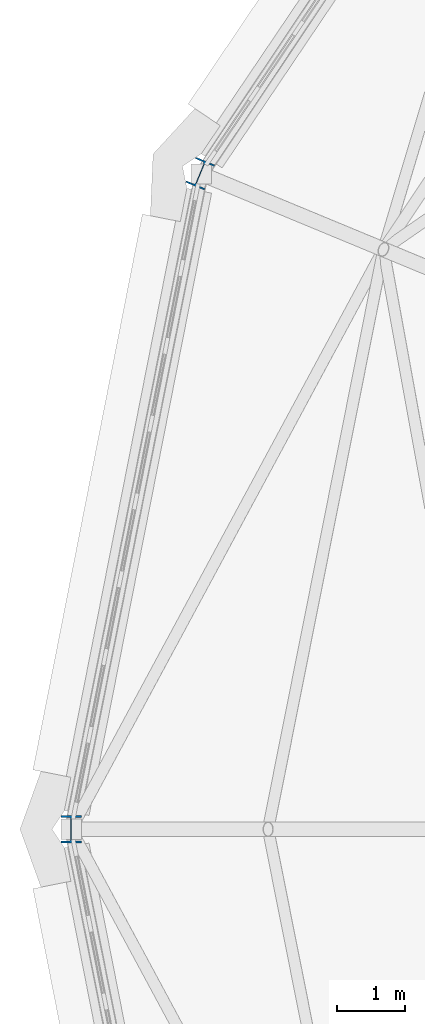
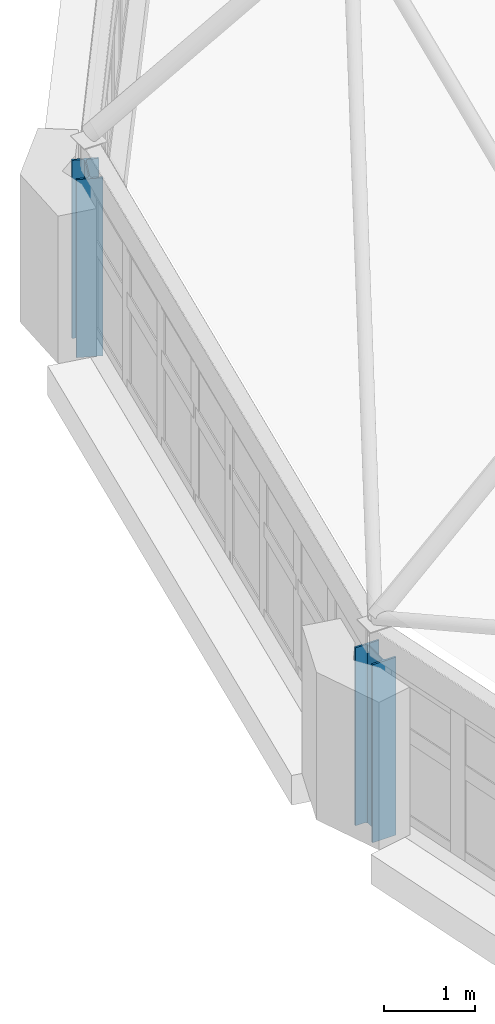
# One storey, part 2 of 68: 2 columns.
"""IFC4 building model written with IfcOpenShell, lengths in metres."""

from ifc_helpers import new_model, si_unit, direction, frame, origin, origin_2d, place, context, subcontext, project, spatial, i_section, extrude, material, material_profile, profile_set, type_object, element, save


model = new_model("IFC4")

# Units and contexts
model_context = context("Model", 3, precision=1e-05, world=origin(), true_north=direction((0.0, 1.0)))
body_context = subcontext(model_context, "Body", "Model", "MODEL_VIEW")
ifc_project = project(units=[si_unit("LENGTHUNIT", "METRE"), si_unit("AREAUNIT", "SQUARE_METRE"), si_unit("VOLUMEUNIT", "CUBIC_METRE"), si_unit("PLANEANGLEUNIT", "RADIAN"), si_unit("MASSUNIT", "GRAM", prefix="KILO")], contexts=[model_context])

# Site, building, storey
site_placement = place(None, origin())
site = spatial("IfcSite", under=ifc_project, at=site_placement, CompositionType="ELEMENT")
building_placement = place(site_placement, origin())
building = spatial("IfcBuilding", under=site, at=building_placement, Name="Kupolbacken Congress Centre", CompositionType="ELEMENT")
storey_placement = place(building_placement, frame((0.0, 0.0, 25.199951171875)))
storey = spatial("IfcBuildingStorey", under=building, at=storey_placement, Name="L07", CompositionType="ELEMENT", Elevation=25.199951171875)

# Columns
ifc_material = material(Name="Steel S355", Category="steel")
ifc_material_profile = material_profile(ifc_material, i_section(OverallWidth=0.300048828125, OverallDepth=0.39990234375, WebThickness=0.013427734375, FlangeThickness=0.02392578125, FilletRadius=0.027099609375, at=origin_2d()), Name="HEB 400")
ifc_profile_set = profile_set([ifc_material_profile], Name="Steel S355")
column_type = type_object("IfcColumnType", Name="C08 column HEB 400", PredefinedType="COLUMN", material=ifc_profile_set)
for number, where, z_axis, x_axis, name in (
    (1, (19.89990234375, 96.050048828125, 0.0), (0.0, 0.0, 1.0), (-0.923896018243, 0.382643629864, 0.0), "S/col/C-D08/L07"),
    (2, (18.0, 86.39990234375, 0.0), (0.0, 0.0, 1.0), (-1.0, 0.0, 0.0), "S/col/C-D09/L07"),
):
    element("IfcColumn", number, at=place(storey_placement, frame(where, z_axis=z_axis, x_axis=x_axis)), inside=storey, type_object=column_type, Name=name, PredefinedType="COLUMN", context=body_context, shape_type="SweptSolid", body=[
        extrude(i_section(OverallWidth=0.300048828125, OverallDepth=0.39990234375, WebThickness=0.013427734375, FlangeThickness=0.02392578125, FilletRadius=0.027099609375, at=origin_2d()), origin(), (0.0, 0.0, 1.0), 2.400146484375),
    ])

save(model, "model.ifc")
